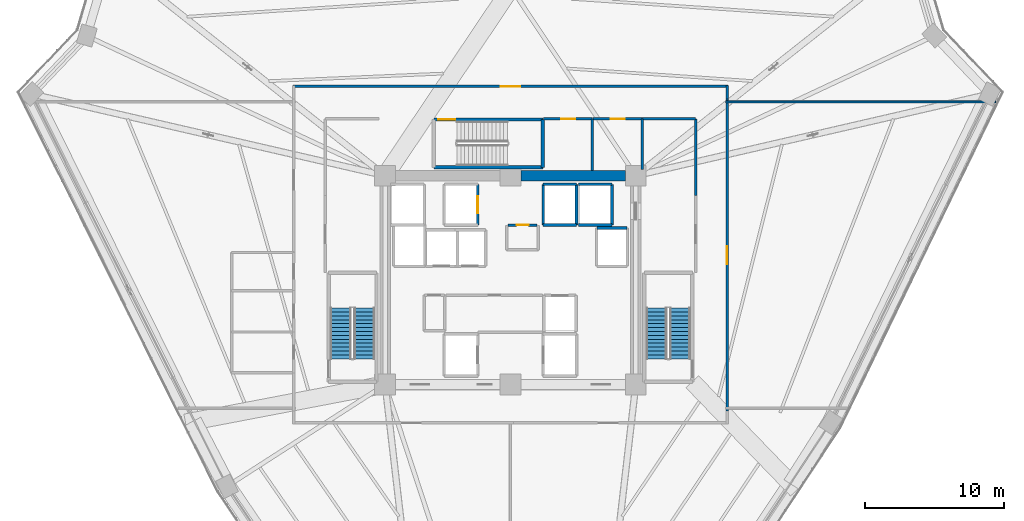
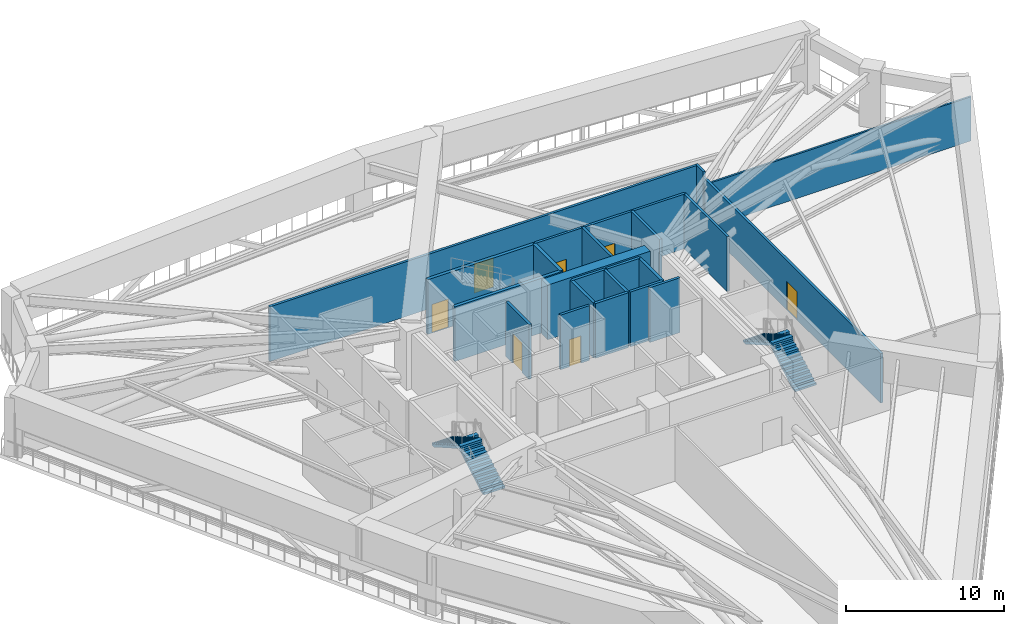
# One storey, part 18 of 27: 24 walls, 7 doors, 4 stair flights, 7 openings, 2 elements without a shape of their own.
"""IFC4 building model written with IfcOpenShell, lengths in metres."""

from ifc_helpers import new_model, si_unit, direction, frame, frame_2d, origin, place, context, subcontext, project, spatial, polyline, rectangle, outline, extrude, source, transform, mapped, material, layer, layer_set, type_object, element, fill, aggregate, save


model = new_model("IFC4")

# Units and contexts
model_context = context("Model", 3, precision=1e-05, world=origin(), true_north=direction((0.0, 1.0)))
body_context = subcontext(model_context, "Body", "Model", "MODEL_VIEW")
ifc_project = project(units=[si_unit("LENGTHUNIT", "METRE"), si_unit("AREAUNIT", "SQUARE_METRE"), si_unit("VOLUMEUNIT", "CUBIC_METRE"), si_unit("PLANEANGLEUNIT", "RADIAN"), si_unit("MASSUNIT", "GRAM", prefix="KILO")], contexts=[model_context])

# Site, building, storey
site_placement = place(None, origin())
site = spatial("IfcSite", under=ifc_project, at=site_placement, CompositionType="ELEMENT")
building_placement = place(site_placement, origin())
building = spatial("IfcBuilding", under=site, at=building_placement, Name="Liaohun Quay Tower", CompositionType="ELEMENT")
storey_placement = place(building_placement, frame((0.0, 0.0, 185.25)))
storey = spatial("IfcBuildingStorey", under=building, at=storey_placement, Name="L48", CompositionType="ELEMENT", Elevation=185.25)

# Wall
ifc_material_1 = material(Name="Concrete C60", Category="concrete")
ifc_layer_1 = layer(ifc_material_1, 0.75, Name="Concrete C60", Category="concrete")
ifc_layer_set_1 = layer_set([ifc_layer_1], Name="Concrete C60")
wall_type_1 = type_object("IfcWallType", Name="WAL-COR-Z2", PredefinedType="SHEAR", material=ifc_layer_set_1)
wall_1_placement = place(storey_placement, frame((60.75, 61.5, 0.0), z_axis=(0.0, 0.0, 1.0), x_axis=(1.0, 0.0, 0.0)))
element("IfcWall", 1, at=wall_1_placement, inside=storey, type_object=wall_type_1, Name="L48 Central Core Shear Wall N-E", PredefinedType="SHEAR", context=body_context, shape_type="SweptSolid", body=[
    extrude(rectangle(XDim=7.5, YDim=0.75, at=frame_2d((3.75, 0.0))), origin(), (0.0, 0.0, 1.0), 4.219970703125),
])

# Wall, opening, door
ifc_material_2 = material(Name="Autoclaved aerated concrete blockwork", Category="masonry")
ifc_layer_2 = layer(ifc_material_2, 0.179931640625, Name="Autoclaved aerated concrete blockwork", Category="masonry")
ifc_layer_set_2 = layer_set([ifc_layer_2], Name="Autoclaved aerated concrete blockwork")
wall_type_2 = type_object("IfcWallType", Name="WAL-PRT-COR", PredefinedType="PARTITIONING", material=ifc_layer_set_2)
wall_2_placement = place(storey_placement, frame((59.81005859375, 57.949951171875, 0.0), z_axis=(0.0, 0.0, 1.0), x_axis=(1.0, 0.0, 0.0)))
wall_2 = element("IfcWall", 2, at=wall_2_placement, inside=storey, type_object=wall_type_2, Name="L48 Interior Partition Wall 002", PredefinedType="PARTITIONING", context=body_context, shape_type="SweptSolid", body=[
    extrude(rectangle(XDim=2.10986328125, YDim=0.179931640625, at=frame_2d((1.054931640625, 0.0))), origin(), (0.0, 0.0, 1.0), 4.219970703125),
])
shared_shape_1 = source(origin(), body_context, "Body", "SweptSolid", [
    extrude(rectangle(XDim=0.85009765625, YDim=2.10009765625, at=frame_2d((0.425048828125, 1.050048828125))), frame((0.0, 0.099853515625, 0.0), z_axis=(0.0, -1.0, 0.0), x_axis=(1.0, 0.0, 0.0)), (0.0, 0.0, 1.0), 0.199951171875),
])
opening_1_placement = place(wall_2_placement, frame((0.635009765625, 0.0, 0.0)))
opening_1 = element("IfcOpeningElement", 3, at=opening_1_placement, cuts=wall_2, Name="Opening AD1", PredefinedType="OPENING", context=body_context, shape_type="MappedRepresentation", body=[
    mapped(shared_shape_1, transform((0.0, 0.0, 0.0), x_axis=(1.0, 0.0, 0.0), y_axis=(0.0, 1.0, 0.0), z_axis=(0.0, 0.0, 1.0), scale=1.0)),
])
ifc_material_3 = material(Name="Steel riser inspection fire door", Category="steel")
door_type_1 = type_object("IfcDoorType", Name="DOR-SHF-850", OperationType="NOTDEFINED", PredefinedType="DOOR", material=ifc_material_3)
shared_shape_2 = source(origin(), body_context, "Body", "SweptSolid", [
    extrude(rectangle(XDim=0.85009765625, YDim=2.10009765625, at=frame_2d((0.425048828125, 1.050048828125))), frame((0.0, 0.02490234375, 0.0), z_axis=(0.0, -1.0, 0.0), x_axis=(1.0, 0.0, 0.0)), (0.0, 0.0, 1.0), 0.050048828125),
])
door_1_placement = place(opening_1_placement, origin())
door_1 = element("IfcDoor", 4, at=door_1_placement, inside=storey, type_object=door_type_1, Name="L48 Core Janitor and Cleaner Store Door", OperationType="SINGLE_SWING_LEFT", OverallHeight=2.10009765625, OverallWidth=0.85009765625, PredefinedType="DOOR", context=body_context, shape_type="MappedRepresentation", body=[
    mapped(shared_shape_2, transform((0.0, 0.0, 0.0), x_axis=(1.0, 0.0, 0.0), y_axis=(0.0, 1.0, 0.0), z_axis=(0.0, 0.0, 1.0), scale=1.0)),
])
fill(opening_1, door_1)

wall_3_placement = place(storey_placement, frame((62.389892578125, 65.580078125, 0.0), z_axis=(0.0, 0.0, 1.0), x_axis=(1.0, 0.0, 0.0)))
wall_3 = element("IfcWall", 5, at=wall_3_placement, inside=storey, type_object=wall_type_2, Name="L48 Interior Partition Wall 007", PredefinedType="PARTITIONING", context=body_context, shape_type="SweptSolid", body=[
    extrude(rectangle(XDim=3.489990234375, YDim=0.179931640625, at=frame_2d((1.7451171875, 0.0))), origin(), (0.0, 0.0, 1.0), 4.219970703125),
])
shared_shape_3 = source(origin(), body_context, "Body", "SweptSolid", [
    extrude(rectangle(XDim=1.0, YDim=2.199951171875, at=frame_2d((0.5, 1.10009765625))), frame((0.0, 0.099853515625, 0.0), z_axis=(0.0, -1.0, 0.0), x_axis=(1.0, 0.0, 0.0)), (0.0, 0.0, 1.0), 0.199951171875),
])
opening_2_placement = place(wall_3_placement, frame((1.2451171875, 0.0, 0.0)))
opening_2 = element("IfcOpeningElement", 6, at=opening_2_placement, cuts=wall_3, Name="Opening OD1", PredefinedType="OPENING", context=body_context, shape_type="MappedRepresentation", body=[
    mapped(shared_shape_3, transform((0.0, 0.0, 0.0), x_axis=(1.0, 0.0, 0.0), y_axis=(0.0, 1.0, 0.0), z_axis=(0.0, 0.0, 1.0), scale=1.0)),
])
ifc_material_4 = material(Name="Solid-core oak veneer timber leaf in steel frame", Category="steel")
door_type_2 = type_object("IfcDoorType", Name="DOR-OFF-1000", OperationType="NOTDEFINED", PredefinedType="DOOR", material=ifc_material_4)
shared_shape_4 = source(origin(), body_context, "Body", "SweptSolid", [
    extrude(rectangle(XDim=1.0, YDim=2.199951171875, at=frame_2d((0.5, 1.10009765625))), frame((0.0, 0.02490234375, 0.0), z_axis=(0.0, -1.0, 0.0), x_axis=(1.0, 0.0, 0.0)), (0.0, 0.0, 1.0), 0.050048828125),
])
door_2_placement = place(opening_2_placement, origin())
door_2 = element("IfcDoor", 7, at=door_2_placement, inside=storey, type_object=door_type_2, Name="L48 North-East Archive Store Door", OperationType="SINGLE_SWING_RIGHT", OverallHeight=2.199951171875, OverallWidth=1.0, PredefinedType="DOOR", context=body_context, shape_type="MappedRepresentation", body=[
    mapped(shared_shape_4, transform((0.0, 0.0, 0.0), x_axis=(1.0, 0.0, 0.0), y_axis=(0.0, 1.0, 0.0), z_axis=(0.0, 0.0, 1.0), scale=1.0)),
])
fill(opening_2, door_2)

wall_4_placement = place(storey_placement, frame((65.919921875, 65.580078125, 0.0), z_axis=(0.0, 0.0, 1.0), x_axis=(1.0, 0.0, 0.0)))
wall_4 = element("IfcWall", 8, at=wall_4_placement, inside=storey, type_object=wall_type_2, Name="L48 Interior Partition Wall 008", PredefinedType="PARTITIONING", context=body_context, shape_type="SweptSolid", body=[
    extrude(rectangle(XDim=3.5400390625, YDim=0.179931640625, at=frame_2d((1.77001953125, 0.0))), origin(), (0.0, 0.0, 1.0), 4.219970703125),
])
opening_3_placement = place(wall_4_placement, frame((1.27001953125, 0.0, 0.0)))
opening_3 = element("IfcOpeningElement", 9, at=opening_3_placement, cuts=wall_4, Name="Opening OD1", PredefinedType="OPENING", context=body_context, shape_type="MappedRepresentation", body=[
    mapped(shared_shape_3, transform((0.0, 0.0, 0.0), x_axis=(1.0, 0.0, 0.0), y_axis=(0.0, 1.0, 0.0), z_axis=(0.0, 0.0, 1.0), scale=1.0)),
])
door_3_placement = place(opening_3_placement, origin())
door_3 = element("IfcDoor", 10, at=door_3_placement, inside=storey, type_object=door_type_2, Name="L48 North-East Pantry Room Door", OperationType="SINGLE_SWING_LEFT", OverallHeight=2.199951171875, OverallWidth=1.0, PredefinedType="DOOR", context=body_context, shape_type="MappedRepresentation", body=[
    mapped(shared_shape_4, transform((0.0, 0.0, 0.0), x_axis=(1.0, 0.0, 0.0), y_axis=(0.0, 1.0, 0.0), z_axis=(0.0, 0.0, 1.0), scale=1.0)),
])
fill(opening_3, door_3)

wall_5_placement = place(storey_placement, frame((75.56005859375, 67.014892578125, 0.0), z_axis=(0.0, 0.0, 1.0), x_axis=(0.0, -1.0, 0.0)))
wall_5 = element("IfcWall", 11, at=wall_5_placement, inside=storey, type_object=wall_type_2, Name="L48 Interior Partition Wall 011", PredefinedType="PARTITIONING", context=body_context, shape_type="SweptSolid", body=[
    extrude(rectangle(XDim=22.429931640625, YDim=0.179931640625, at=frame_2d((11.21484375, 0.0))), origin(), (0.0, 0.0, 1.0), 3.804931640625),
])
shared_shape_5 = source(origin(), body_context, "Body", "SweptSolid", [
    extrude(rectangle(XDim=1.300048828125, YDim=2.199951171875, at=frame_2d((0.64990234375, 1.10009765625))), frame((0.0, 0.099853515625, 0.0), z_axis=(0.0, -1.0, 0.0), x_axis=(1.0, 0.0, 0.0)), (0.0, 0.0, 1.0), 0.199951171875),
])
opening_4_placement = place(wall_5_placement, frame((10.56494140625, 0.0, 0.0)))
opening_4 = element("IfcOpeningElement", 12, at=opening_4_placement, cuts=wall_5, Name="Opening FD1", PredefinedType="OPENING", context=body_context, shape_type="MappedRepresentation", body=[
    mapped(shared_shape_5, transform((0.0, 0.0, 0.0), x_axis=(1.0, 0.0, 0.0), y_axis=(0.0, 1.0, 0.0), z_axis=(0.0, 0.0, 1.0), scale=1.0)),
])
ifc_material_5 = material(Name="Galvanised steel smokeproof fire door", Category="steel")
door_type_3 = type_object("IfcDoorType", Name="DOR-FFL-1300", OperationType="NOTDEFINED", PredefinedType="DOOR", material=ifc_material_5)
shared_shape_6 = source(origin(), body_context, "Body", "SweptSolid", [
    extrude(rectangle(XDim=1.300048828125, YDim=2.199951171875, at=frame_2d((0.64990234375, 1.10009765625))), frame((0.0, 0.02490234375, 0.0), z_axis=(0.0, -1.0, 0.0), x_axis=(1.0, 0.0, 0.0)), (0.0, 0.0, 1.0), 0.050048828125),
])
door_4_placement = place(opening_4_placement, origin())
door_4 = element("IfcDoor", 13, at=door_4_placement, inside=storey, type_object=door_type_3, Name="L48 South Pressurised Fire Refuge Area Door", OperationType="SINGLE_SWING_RIGHT", OverallHeight=2.199951171875, OverallWidth=1.300048828125, PredefinedType="DOOR", context=body_context, shape_type="MappedRepresentation", body=[
    mapped(shared_shape_6, transform((0.0, 0.0, 0.0), x_axis=(1.0, 0.0, 0.0), y_axis=(0.0, 1.0, 0.0), z_axis=(0.0, 0.0, 1.0), scale=1.0)),
])
fill(opening_4, door_4)

wall_6_placement = place(storey_placement, frame((44.3701171875, 67.909912109375, 0.0), z_axis=(0.0, 0.0, 1.0), x_axis=(1.0, 0.0, 0.0)))
wall_6 = element("IfcWall", 14, at=wall_6_placement, inside=storey, type_object=wall_type_2, Name="L48 Interior Partition Wall 012", PredefinedType="PARTITIONING", context=body_context, shape_type="SweptSolid", body=[
    extrude(rectangle(XDim=31.259765625, YDim=0.179931640625, at=frame_2d((15.6298828125, 0.0))), origin(), (0.0, 0.0, 1.0), 4.219970703125),
])
shared_shape_7 = source(origin(), body_context, "Body", "SweptSolid", [
    extrude(rectangle(XDim=1.39990234375, YDim=2.25, at=frame_2d((0.699951171875, 1.125))), frame((0.0, 0.099853515625, 0.0), z_axis=(0.0, -1.0, 0.0), x_axis=(1.0, 0.0, 0.0)), (0.0, 0.0, 1.0), 0.199951171875),
])
opening_5_placement = place(wall_6_placement, frame((14.929931640625, 0.0, 0.0)))
opening_5 = element("IfcOpeningElement", 15, at=opening_5_placement, cuts=wall_6, Name="Opening MD1", PredefinedType="OPENING", context=body_context, shape_type="MappedRepresentation", body=[
    mapped(shared_shape_7, transform((0.0, 0.0, 0.0), x_axis=(1.0, 0.0, 0.0), y_axis=(0.0, 1.0, 0.0), z_axis=(0.0, 0.0, 1.0), scale=1.0)),
])
ifc_material_6 = material(Name="Insulated steel plant room door", Category="steel")
door_type_4 = type_object("IfcDoorType", Name="DOR-MEP-1400", OperationType="DOUBLE_DOOR_SINGLE_SWING", PredefinedType="DOOR", material=ifc_material_6)
shared_shape_8 = source(origin(), body_context, "Body", "SweptSolid", [
    extrude(rectangle(XDim=1.39990234375, YDim=2.25, at=frame_2d((0.699951171875, 1.125))), frame((0.0, 0.02490234375, 0.0), z_axis=(0.0, -1.0, 0.0), x_axis=(1.0, 0.0, 0.0)), (0.0, 0.0, 1.0), 0.050048828125),
])
door_5_placement = place(opening_5_placement, origin())
door_5 = element("IfcDoor", 16, at=door_5_placement, inside=storey, type_object=door_type_4, Name="L48 Southwest Zone Electrical Switch Plant Room Door", OperationType="DOUBLE_DOOR_SINGLE_SWING", OverallHeight=2.25, OverallWidth=1.39990234375, PredefinedType="DOOR", context=body_context, shape_type="MappedRepresentation", body=[
    mapped(shared_shape_8, transform((0.0, 0.0, 0.0), x_axis=(1.0, 0.0, 0.0), y_axis=(0.0, 1.0, 0.0), z_axis=(0.0, 0.0, 1.0), scale=1.0)),
])
fill(opening_5, door_5)

# Walls
wall_7_placement = place(storey_placement, frame((65.8798828125, 61.875, 0.0), z_axis=(0.0, 0.0, 1.0), x_axis=(0.0, 1.0, 0.0)))
element("IfcWall", 17, at=wall_7_placement, inside=storey, type_object=wall_type_2, Name="L48 Interior Partition Wall 027", PredefinedType="PARTITIONING", context=body_context, shape_type="SweptSolid", body=[
    extrude(rectangle(XDim=3.705078125, YDim=0.179931640625, at=frame_2d((1.8525390625, 0.0))), origin(), (0.0, 0.0, 1.0), 4.219970703125),
])
wall_8_placement = place(storey_placement, frame((69.4599609375, 61.949951171875, 0.0), z_axis=(0.0, 0.0, 1.0), x_axis=(0.0, 1.0, 0.0)))
element("IfcWall", 18, at=wall_8_placement, inside=storey, type_object=wall_type_2, Name="L48 Interior Partition Wall 028", PredefinedType="PARTITIONING", context=body_context, shape_type="SweptSolid", body=[
    extrude(rectangle(XDim=3.630126953125, YDim=0.179931640625, at=frame_2d((1.81494140625, 0.0))), origin(), (0.0, 0.0, 1.0), 4.219970703125),
])
wall_9_placement = place(storey_placement, frame((69.4599609375, 65.580078125, 0.0), z_axis=(0.0, 0.0, 1.0), x_axis=(1.0, 0.0, 0.0)))
element("IfcWall", 19, at=wall_9_placement, inside=storey, type_object=wall_type_2, Name="L48 Interior Partition Wall 030", PredefinedType="PARTITIONING", context=body_context, shape_type="SweptSolid", body=[
    extrude(rectangle(XDim=3.840087890625, YDim=0.179931640625, at=frame_2d((1.919921875, 0.0))), origin(), (0.0, 0.0, 1.0), 4.219970703125),
])
wall_10_placement = place(storey_placement, frame((73.300048828125, 60.06005859375, 0.0), z_axis=(0.0, 0.0, 1.0), x_axis=(0.0, 1.0, 0.0)))
element("IfcWall", 20, at=wall_10_placement, inside=storey, type_object=wall_type_2, Name="L48 Interior Partition Wall 032", PredefinedType="PARTITIONING", context=body_context, shape_type="SweptSolid", body=[
    extrude(rectangle(XDim=5.52001953125, YDim=0.179931640625, at=frame_2d((2.760009765625, 0.0))), origin(), (0.0, 0.0, 1.0), 4.219970703125),
])
wall_11_placement = place(storey_placement, frame((75.56005859375, 67.97998046875, 0.0), z_axis=(0.0, 0.0, 1.0), x_axis=(0.0, -1.0, 0.0)))
element("IfcWall", 21, at=wall_11_placement, inside=storey, type_object=wall_type_2, Name="L48 Interior Partition Wall 034", PredefinedType="PARTITIONING", context=body_context, shape_type="SweptSolid", body=[
    extrude(rectangle(XDim=0.965087890625, YDim=0.179931640625, at=frame_2d((0.482421875, 0.0))), origin(), (0.0, 0.0, 1.0), 4.219970703125),
])
ifc_material_7 = material(Name="Gypsum board on twin steel studs", Category="steel")
ifc_layer_3 = layer(ifc_material_7, 0.139892578125, Name="Gypsum board on twin steel studs", Category="steel")
ifc_layer_set_3 = layer_set([ifc_layer_3], Name="Gypsum board on twin steel studs")
wall_type_3 = type_object("IfcWallType", Name="WAL-PRT-OFF", PredefinedType="PARTITIONING", material=ifc_layer_set_3)
wall_12_placement = place(storey_placement, frame((75.4599609375, 66.800048828125, 0.0), z_axis=(0.0, 0.0, 1.0), x_axis=(1.0, 0.0, 0.0)))
element("IfcWall", 22, at=wall_12_placement, inside=storey, type_object=wall_type_3, Name="L48 Interior Partition Wall 041", PredefinedType="PARTITIONING", context=body_context, shape_type="SweptSolid", body=[
    extrude(rectangle(XDim=19.39208984375, YDim=0.139892578125, at=frame_2d((9.696044921875, 0.0))), origin(), (0.0, 0.0, 1.0), 3.405029296875),
])
ifc_material_8 = material(Name="Concrete C50", Category="concrete")
ifc_layer_4 = layer(ifc_material_8, 0.239990234375, Name="Concrete C50", Category="concrete")
ifc_layer_set_4 = layer_set([ifc_layer_4], Name="Concrete C50")
wall_type_4 = type_object("IfcWallType", Name="WAL-SHF-200", PredefinedType="SOLIDWALL", material=ifc_layer_set_4)
wall_13_placement = place(storey_placement, frame((54.5, 62.10009765625, 0.0), z_axis=(0.0, 0.0, 1.0), x_axis=(1.0, 0.0, 0.0)))
element("IfcWall", 23, at=wall_13_placement, inside=storey, type_object=wall_type_4, Name="L48 Stairwell ST-3 Structural Core Wall S", PredefinedType="SOLIDWALL", context=body_context, shape_type="SweptSolid", body=[
    extrude(rectangle(XDim=7.820068359375, YDim=0.239990234375, at=frame_2d((3.91015625, 0.0))), origin(), (0.0, 0.0, 1.0), 4.219970703125),
])
wall_14_placement = place(storey_placement, frame((62.320068359375, 62.10009765625, 0.0), z_axis=(0.0, 0.0, 1.0), x_axis=(0.0, 1.0, 0.0)))
element("IfcWall", 24, at=wall_14_placement, inside=storey, type_object=wall_type_4, Name="L48 Stairwell ST-3 Structural Core Wall E", PredefinedType="SOLIDWALL", context=body_context, shape_type="SweptSolid", body=[
    extrude(rectangle(XDim=3.43994140625, YDim=0.239990234375, at=frame_2d((1.719970703125, 0.0))), origin(), (0.0, 0.0, 1.0), 4.219970703125),
])

# Wall, opening, door
wall_15_placement = place(storey_placement, frame((62.320068359375, 65.5400390625, 0.0), z_axis=(0.0, 0.0, 1.0), x_axis=(-1.0, 0.0, 0.0)))
wall_15 = element("IfcWall", 25, at=wall_15_placement, inside=storey, type_object=wall_type_4, Name="L48 Stairwell ST-3 Structural Core Wall N", PredefinedType="SOLIDWALL", context=body_context, shape_type="SweptSolid", body=[
    extrude(rectangle(XDim=7.820068359375, YDim=0.239990234375, at=frame_2d((3.91015625, 0.0))), origin(), (0.0, 0.0, 1.0), 4.219970703125),
])
shared_shape_9 = source(origin(), body_context, "Body", "SweptSolid", [
    extrude(rectangle(XDim=1.199951171875, YDim=2.199951171875, at=frame_2d((0.60009765625, 1.10009765625))), frame((0.0, 0.1298828125, 0.0), z_axis=(0.0, -1.0, 0.0), x_axis=(1.0, 0.0, 0.0)), (0.0, 0.0, 1.0), 0.260009765625),
])
opening_6_placement = place(wall_15_placement, frame((6.300048828125, 0.0, 0.0)))
opening_6 = element("IfcOpeningElement", 26, at=opening_6_placement, cuts=wall_15, Name="Opening SD1", PredefinedType="OPENING", context=body_context, shape_type="MappedRepresentation", body=[
    mapped(shared_shape_9, transform((0.0, 0.0, 0.0), x_axis=(1.0, 0.0, 0.0), y_axis=(0.0, 1.0, 0.0), z_axis=(0.0, 0.0, 1.0), scale=1.0)),
])
ifc_material_9 = material(Name="Galvanised steel fire door", Category="steel")
door_type_5 = type_object("IfcDoorType", Name="DOR-STR-1200", OperationType="NOTDEFINED", PredefinedType="DOOR", material=ifc_material_9)
shared_shape_10 = source(origin(), body_context, "Body", "SweptSolid", [
    extrude(rectangle(XDim=1.199951171875, YDim=2.199951171875, at=frame_2d((0.60009765625, 1.10009765625))), frame((0.0, 0.02490234375, 0.0), z_axis=(0.0, -1.0, 0.0), x_axis=(1.0, 0.0, 0.0)), (0.0, 0.0, 1.0), 0.050048828125),
])
door_6_placement = place(opening_6_placement, origin())
door_6 = element("IfcDoor", 27, at=door_6_placement, inside=storey, type_object=door_type_5, Name="L48 Protected Stair ST-3 Fire Door", OperationType="SINGLE_SWING_RIGHT", OverallHeight=2.199951171875, OverallWidth=1.199951171875, PredefinedType="DOOR", context=body_context, shape_type="MappedRepresentation", body=[
    mapped(shared_shape_10, transform((0.0, 0.0, 0.0), x_axis=(1.0, 0.0, 0.0), y_axis=(0.0, 1.0, 0.0), z_axis=(0.0, 0.0, 1.0), scale=1.0)),
])
fill(opening_6, door_6)

wall_16_placement = place(storey_placement, frame((57.64990234375, 57.949951171875, 0.0), z_axis=(0.0, 0.0, 1.0), x_axis=(0.0, 1.0, 0.0)))
wall_16 = element("IfcWall", 28, at=wall_16_placement, inside=storey, type_object=wall_type_4, Name="L48 Lift FF-03 Hoistway Wall E", PredefinedType="SOLIDWALL", context=body_context, shape_type="SweptSolid", body=[
    extrude(rectangle(XDim=2.929931640625, YDim=0.199951171875, at=frame_2d((1.46484375, 0.0))), origin(), (0.0, 0.0, 1.0), 4.219970703125),
])
shared_shape_11 = source(origin(), body_context, "Body", "SweptSolid", [
    extrude(rectangle(XDim=1.199951171875, YDim=2.300048828125, at=frame_2d((0.60009765625, 1.14990234375))), frame((0.0, 0.10986328125, 0.0), z_axis=(0.0, -1.0, 0.0), x_axis=(1.0, 0.0, 0.0)), (0.0, 0.0, 1.0), 0.219970703125),
])
opening_7_placement = place(wall_16_placement, frame((0.864990234375, 0.0, 0.0)))
opening_7 = element("IfcOpeningElement", 29, at=opening_7_placement, cuts=wall_16, Name="Opening LD2", PredefinedType="OPENING", context=body_context, shape_type="MappedRepresentation", body=[
    mapped(shared_shape_11, transform((0.0, 0.0, 0.0), x_axis=(1.0, 0.0, 0.0), y_axis=(0.0, 1.0, 0.0), z_axis=(0.0, 0.0, 1.0), scale=1.0)),
])
ifc_material_10 = material(Name="Brushed stainless steel stretcher landing door", Category="steel")
door_type_6 = type_object("IfcDoorType", Name="DOR-LFT-1200", OperationType="SLIDING_TO_LEFT", PredefinedType="DOOR", material=ifc_material_10)
shared_shape_12 = source(origin(), body_context, "Body", "SweptSolid", [
    extrude(rectangle(XDim=1.199951171875, YDim=2.300048828125, at=frame_2d((0.60009765625, 1.14990234375))), frame((0.0, 0.02490234375, 0.0), z_axis=(0.0, -1.0, 0.0), x_axis=(1.0, 0.0, 0.0)), (0.0, 0.0, 1.0), 0.050048828125),
])
door_7_placement = place(opening_7_placement, origin())
door_7 = element("IfcDoor", 30, at=door_7_placement, inside=storey, type_object=door_type_6, Name="L48 Lift FF-03 Sliding Landing Door", OperationType="SLIDING_TO_LEFT", OverallHeight=2.300048828125, OverallWidth=1.199951171875, PredefinedType="DOOR", context=body_context, shape_type="MappedRepresentation", body=[
    mapped(shared_shape_12, transform((0.0, 0.0, 0.0), x_axis=(1.0, 0.0, 0.0), y_axis=(0.0, 1.0, 0.0), z_axis=(0.0, 0.0, 1.0), scale=1.0)),
])
fill(opening_7, door_7)

# Walls
wall_17_placement = place(storey_placement, frame((62.35009765625, 57.949951171875, 0.0), z_axis=(0.0, 0.0, 1.0), x_axis=(1.0, 0.0, 0.0)))
element("IfcWall", 31, at=wall_17_placement, inside=storey, type_object=wall_type_4, Name="L48 Lift OB-01 Hoistway Wall S", PredefinedType="SOLIDWALL", context=body_context, shape_type="SweptSolid", body=[
    extrude(rectangle(XDim=2.39990234375, YDim=0.199951171875, at=frame_2d((1.199951171875, 0.0))), origin(), (0.0, 0.0, 1.0), 4.219970703125),
])
wall_18_placement = place(storey_placement, frame((64.75, 57.949951171875, 0.0), z_axis=(0.0, 0.0, 1.0), x_axis=(0.0, 1.0, 0.0)))
element("IfcWall", 32, at=wall_18_placement, inside=storey, type_object=wall_type_4, Name="L48 Lift OB-01 Hoistway Wall E", PredefinedType="SOLIDWALL", context=body_context, shape_type="SweptSolid", body=[
    extrude(rectangle(XDim=2.929931640625, YDim=0.199951171875, at=frame_2d((1.46484375, 0.0))), origin(), (0.0, 0.0, 1.0), 4.219970703125),
])
wall_19_placement = place(storey_placement, frame((64.75, 60.8798828125, 0.0), z_axis=(0.0, 0.0, 1.0), x_axis=(-1.0, 0.0, 0.0)))
element("IfcWall", 33, at=wall_19_placement, inside=storey, type_object=wall_type_4, Name="L48 Lift OB-01 Hoistway Wall N", PredefinedType="SOLIDWALL", context=body_context, shape_type="SweptSolid", body=[
    extrude(rectangle(XDim=2.39990234375, YDim=0.199951171875, at=frame_2d((1.199951171875, 0.0))), origin(), (0.0, 0.0, 1.0), 4.219970703125),
])
wall_20_placement = place(storey_placement, frame((62.35009765625, 60.8798828125, 0.0), z_axis=(0.0, 0.0, 1.0), x_axis=(0.0, -1.0, 0.0)))
element("IfcWall", 34, at=wall_20_placement, inside=storey, type_object=wall_type_4, Name="L48 Lift OB-01 Hoistway Wall W", PredefinedType="SOLIDWALL", context=body_context, shape_type="SweptSolid", body=[
    extrude(rectangle(XDim=2.929931640625, YDim=0.199951171875, at=frame_2d((1.46484375, 0.0))), origin(), (0.0, 0.0, 1.0), 4.219970703125),
])
wall_21_placement = place(storey_placement, frame((64.89990234375, 57.949951171875, 0.0), z_axis=(0.0, 0.0, 1.0), x_axis=(1.0, 0.0, 0.0)))
element("IfcWall", 35, at=wall_21_placement, inside=storey, type_object=wall_type_4, Name="L48 Lift OB-02 Hoistway Wall S", PredefinedType="SOLIDWALL", context=body_context, shape_type="SweptSolid", body=[
    extrude(rectangle(XDim=2.400146484375, YDim=0.199951171875, at=frame_2d((1.2001953125, 0.0))), origin(), (0.0, 0.0, 1.0), 4.219970703125),
])
wall_22_placement = place(storey_placement, frame((67.300048828125, 57.949951171875, 0.0), z_axis=(0.0, 0.0, 1.0), x_axis=(0.0, 1.0, 0.0)))
element("IfcWall", 36, at=wall_22_placement, inside=storey, type_object=wall_type_4, Name="L48 Lift OB-02 Hoistway Wall E", PredefinedType="SOLIDWALL", context=body_context, shape_type="SweptSolid", body=[
    extrude(rectangle(XDim=2.929931640625, YDim=0.199951171875, at=frame_2d((1.46484375, 0.0))), origin(), (0.0, 0.0, 1.0), 4.219970703125),
])
wall_23_placement = place(storey_placement, frame((67.300048828125, 60.8798828125, 0.0), z_axis=(0.0, 0.0, 1.0), x_axis=(-1.0, 0.0, 0.0)))
element("IfcWall", 37, at=wall_23_placement, inside=storey, type_object=wall_type_4, Name="L48 Lift OB-02 Hoistway Wall N", PredefinedType="SOLIDWALL", context=body_context, shape_type="SweptSolid", body=[
    extrude(rectangle(XDim=2.400146484375, YDim=0.199951171875, at=frame_2d((1.2001953125, 0.0))), origin(), (0.0, 0.0, 1.0), 4.219970703125),
])
wall_24_placement = place(storey_placement, frame((68.3798828125, 57.75, 0.0), z_axis=(0.0, 0.0, 1.0), x_axis=(-1.0, 0.0, 0.0)))
element("IfcWall", 38, at=wall_24_placement, inside=storey, type_object=wall_type_4, Name="L48 Lift SH-03 Hoistway Wall N", PredefinedType="SOLIDWALL", context=body_context, shape_type="SweptSolid", body=[
    extrude(rectangle(XDim=2.179931640625, YDim=0.199951171875, at=frame_2d((1.08984375, 0.0))), origin(), (0.0, 0.0, 1.0), 4.219970703125),
])

# Stair, stair flights
ifc_material_11 = material(Name="Concrete C45", Category="concrete")
stair_type = type_object("IfcStairType", Name="STR-CORE-TALL", PredefinedType="HALF_TURN_STAIR", material=ifc_material_11)
stair_1_placement = place(storey_placement, origin())
stair_1 = element("IfcStair", 39, at=stair_1_placement, inside=storey, type_object=stair_type, Name="L48 Smokeproof Core Exit Stair ST-1", PredefinedType="HALF_TURN_STAIR")
stair_flight_type = type_object("IfcStairFlightType", Name="FLT-CORE-155", PredefinedType="STRAIGHT", material=ifc_material_11)
stair_flight_1_placement = place(storey_placement, frame((49.5048828125, 48.35009765625, 0.0), z_axis=(0.0, 0.0, 1.0), x_axis=(0.0, 1.0, 0.0)))
stair_flight_1 = element("IfcStairFlight", 40, at=stair_flight_1_placement, type_object=stair_flight_type, Name="ST-1 flight 1", NumberOfRisers=14, NumberOfTreads=13, PredefinedType="STRAIGHT", RiserHeight=0.160714286, TreadLength=0.28, context=body_context, shape_type="SweptSolid", body=[
    extrude(outline(polyline([(0.0, 0.0), (0.0, 0.16064453125), (0.280029296875, 0.16064453125), (0.280029296875, 0.321533203125), (0.56005859375, 0.321533203125), (0.56005859375, 0.482177734375), (0.840087890625, 0.482177734375), (0.840087890625, 0.642822265625), (1.1201171875, 0.642822265625), (1.1201171875, 0.803466796875), (1.39990234375, 0.803466796875), (1.39990234375, 0.96435546875), (1.679931640625, 0.96435546875), (1.679931640625, 1.125), (1.9599609375, 1.125), (1.9599609375, 1.28564453125), (2.239990234375, 1.28564453125), (2.239990234375, 1.446533203125), (2.52001953125, 1.446533203125), (2.52001953125, 1.607177734375), (2.800048828125, 1.607177734375), (2.800048828125, 1.767822265625), (3.080078125, 1.767822265625), (3.080078125, 1.928466796875), (3.360107421875, 1.928466796875), (3.360107421875, 2.08935546875), (3.639892578125, 2.08935546875), (3.639892578125, 2.25), (3.639892578125, 1.91650390625), (0.301025390625, 0.0), (0.0, 0.0)])), frame((0.0, 0.77490234375, 0.0), z_axis=(0.0, -1.0, 0.0), x_axis=(1.0, 0.0, 0.0)), (0.0, 0.0, 1.0), 1.550048828125),
])
stair_flight_2_placement = place(storey_placement, frame((47.81494140625, 51.989990234375, 2.25), z_axis=(0.0, 0.0, 1.0), x_axis=(0.0, -1.0, 0.0)))
stair_flight_2 = element("IfcStairFlight", 41, at=stair_flight_2_placement, type_object=stair_flight_type, Name="ST-1 flight 2", NumberOfRisers=14, NumberOfTreads=13, PredefinedType="STRAIGHT", RiserHeight=0.160714286, TreadLength=0.28, context=body_context, shape_type="SweptSolid", body=[
    extrude(outline(polyline([(0.0, 0.0), (0.0, 0.16064453125), (0.280029296875, 0.16064453125), (0.280029296875, 0.321533203125), (0.56005859375, 0.321533203125), (0.56005859375, 0.482177734375), (0.840087890625, 0.482177734375), (0.840087890625, 0.642822265625), (1.1201171875, 0.642822265625), (1.1201171875, 0.803466796875), (1.39990234375, 0.803466796875), (1.39990234375, 0.96435546875), (1.679931640625, 0.96435546875), (1.679931640625, 1.125), (1.9599609375, 1.125), (1.9599609375, 1.28564453125), (2.239990234375, 1.28564453125), (2.239990234375, 1.446533203125), (2.52001953125, 1.446533203125), (2.52001953125, 1.607177734375), (2.800048828125, 1.607177734375), (2.800048828125, 1.767822265625), (3.080078125, 1.767822265625), (3.080078125, 1.928466796875), (3.360107421875, 1.928466796875), (3.360107421875, 2.08935546875), (3.639892578125, 2.08935546875), (3.639892578125, 2.25), (3.639892578125, 1.91650390625), (0.301025390625, 0.0), (0.0, 0.0)])), frame((0.0, 0.77490234375, 0.0), z_axis=(0.0, -1.0, 0.0), x_axis=(1.0, 0.0, 0.0)), (0.0, 0.0, 1.0), 1.550048828125),
])
aggregate(stair_1, [stair_flight_1, stair_flight_2])

stair_2_placement = place(storey_placement, origin())
stair_2 = element("IfcStair", 42, at=stair_2_placement, inside=storey, type_object=stair_type, Name="L48 Smokeproof Core Exit Stair ST-2", PredefinedType="HALF_TURN_STAIR")
stair_flight_3_placement = place(storey_placement, frame((72.18505859375, 48.35009765625, 0.0), z_axis=(0.0, 0.0, 1.0), x_axis=(0.0, 1.0, 0.0)))
stair_flight_3 = element("IfcStairFlight", 43, at=stair_flight_3_placement, type_object=stair_flight_type, Name="ST-2 flight 1", NumberOfRisers=14, NumberOfTreads=13, PredefinedType="STRAIGHT", RiserHeight=0.160714286, TreadLength=0.28, context=body_context, shape_type="SweptSolid", body=[
    extrude(outline(polyline([(0.0, 0.0), (0.0, 0.16064453125), (0.280029296875, 0.16064453125), (0.280029296875, 0.321533203125), (0.56005859375, 0.321533203125), (0.56005859375, 0.482177734375), (0.840087890625, 0.482177734375), (0.840087890625, 0.642822265625), (1.1201171875, 0.642822265625), (1.1201171875, 0.803466796875), (1.39990234375, 0.803466796875), (1.39990234375, 0.96435546875), (1.679931640625, 0.96435546875), (1.679931640625, 1.125), (1.9599609375, 1.125), (1.9599609375, 1.28564453125), (2.239990234375, 1.28564453125), (2.239990234375, 1.446533203125), (2.52001953125, 1.446533203125), (2.52001953125, 1.607177734375), (2.800048828125, 1.607177734375), (2.800048828125, 1.767822265625), (3.080078125, 1.767822265625), (3.080078125, 1.928466796875), (3.360107421875, 1.928466796875), (3.360107421875, 2.08935546875), (3.639892578125, 2.08935546875), (3.639892578125, 2.25), (3.639892578125, 1.91650390625), (0.301025390625, 0.0), (0.0, 0.0)])), frame((0.0, 0.77490234375, 0.0), z_axis=(0.0, -1.0, 0.0), x_axis=(1.0, 0.0, 0.0)), (0.0, 0.0, 1.0), 1.550048828125),
])
stair_flight_4_placement = place(storey_placement, frame((70.4951171875, 51.989990234375, 2.25), z_axis=(0.0, 0.0, 1.0), x_axis=(0.0, -1.0, 0.0)))
stair_flight_4 = element("IfcStairFlight", 44, at=stair_flight_4_placement, type_object=stair_flight_type, Name="ST-2 flight 2", NumberOfRisers=14, NumberOfTreads=13, PredefinedType="STRAIGHT", RiserHeight=0.160714286, TreadLength=0.28, context=body_context, shape_type="SweptSolid", body=[
    extrude(outline(polyline([(0.0, 0.0), (0.0, 0.16064453125), (0.280029296875, 0.16064453125), (0.280029296875, 0.321533203125), (0.56005859375, 0.321533203125), (0.56005859375, 0.482177734375), (0.840087890625, 0.482177734375), (0.840087890625, 0.642822265625), (1.1201171875, 0.642822265625), (1.1201171875, 0.803466796875), (1.39990234375, 0.803466796875), (1.39990234375, 0.96435546875), (1.679931640625, 0.96435546875), (1.679931640625, 1.125), (1.9599609375, 1.125), (1.9599609375, 1.28564453125), (2.239990234375, 1.28564453125), (2.239990234375, 1.446533203125), (2.52001953125, 1.446533203125), (2.52001953125, 1.607177734375), (2.800048828125, 1.607177734375), (2.800048828125, 1.767822265625), (3.080078125, 1.767822265625), (3.080078125, 1.928466796875), (3.360107421875, 1.928466796875), (3.360107421875, 2.08935546875), (3.639892578125, 2.08935546875), (3.639892578125, 2.25), (3.639892578125, 1.91650390625), (0.301025390625, 0.0), (0.0, 0.0)])), frame((0.0, 0.77490234375, 0.0), z_axis=(0.0, -1.0, 0.0), x_axis=(1.0, 0.0, 0.0)), (0.0, 0.0, 1.0), 1.550048828125),
])
aggregate(stair_2, [stair_flight_3, stair_flight_4])

save(model, "model.ifc")
